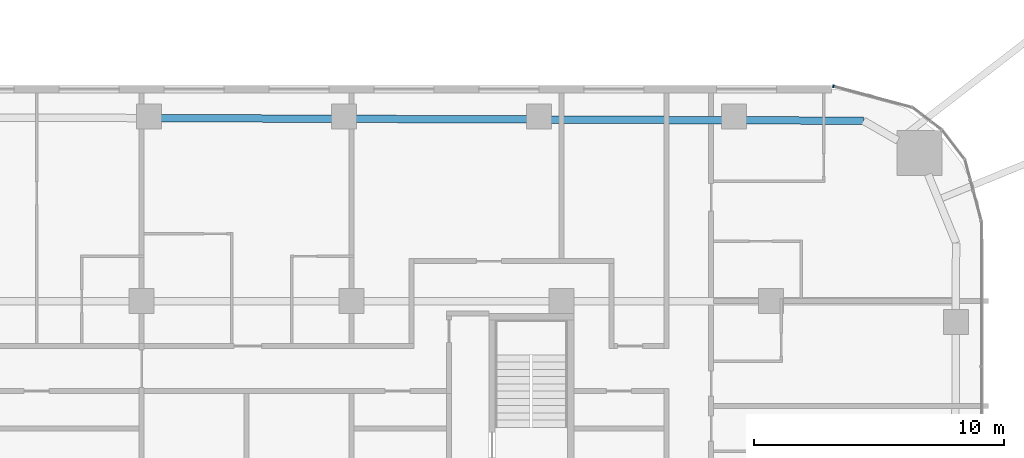
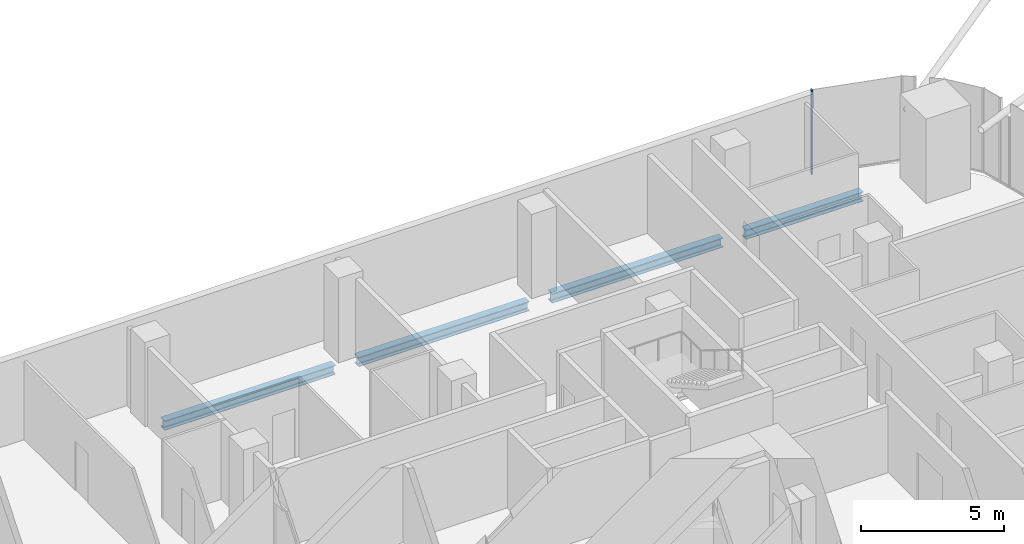
# One storey, part 13 of 38: 4 beams, 1 member, 1 element without a shape of its own.
"""IFC4 building model written with IfcOpenShell, lengths in metres."""

from ifc_helpers import new_model, si_unit, direction, frame, origin, origin_2d, place, context, subcontext, project, spatial, rectangle, i_section, extrude, material, layer, layer_set, material_profile, profile_set, type_object, element, aggregate, save


model = new_model("IFC4")

# Units and contexts
model_context = context("Model", 3, precision=1e-05, world=origin(), true_north=direction((0.0, 1.0)))
body_context = subcontext(model_context, "Body", "Model", "MODEL_VIEW")
ifc_project = project(units=[si_unit("LENGTHUNIT", "METRE"), si_unit("AREAUNIT", "SQUARE_METRE"), si_unit("VOLUMEUNIT", "CUBIC_METRE"), si_unit("PLANEANGLEUNIT", "RADIAN"), si_unit("MASSUNIT", "GRAM", prefix="KILO")], contexts=[model_context])

# Site, building, storey
site_placement = place(None, origin())
site = spatial("IfcSite", under=ifc_project, at=site_placement, CompositionType="ELEMENT")
building_placement = place(site_placement, origin())
building = spatial("IfcBuilding", under=site, at=building_placement, Name="Marenta Gate Hotel Tower", CompositionType="ELEMENT")
storey_placement = place(building_placement, frame((0.0, 0.0, 68.89990234375)))
storey = spatial("IfcBuildingStorey", under=building, at=storey_placement, Name="L15", CompositionType="ELEMENT", Elevation=68.89990234375)

# Beams
ifc_material_1 = material(Name="Steel S355", Category="steel")
ifc_material_profile_1 = material_profile(ifc_material_1, i_section(OverallWidth=0.300048828125, OverallDepth=0.39990234375, WebThickness=0.013427734375, FlangeThickness=0.02392578125, FilletRadius=0.027099609375, at=origin_2d()), Name="HEB 400")
ifc_profile_set_1 = profile_set([ifc_material_profile_1], Name="Steel S355")
beam_type = type_object("IfcBeamType", Name="Edge beam HEB 400", PredefinedType="SPANDREL", material=ifc_profile_set_1)
for number, where, z_axis, x_axis, name in (
    (1, (-3.44140625, 32.52587890625, -0.4599609375), (0.999993195747, -0.003688964684, 0.0), (0.003688964684, 0.999993195747, 0.0), "L15-EB-16"),
    (2, (4.361328125, 32.4970703125, -0.4599609375), (0.999993064268, -0.003724435008, 0.0), (0.003724435008, 0.999993064268, 0.0), "L15-EB-17"),
    (3, (12.1640625, 32.468017578125, -0.4599609375), (0.999993064268, -0.003724435008, 0.0), (0.003724435008, 0.999993064268, 0.0), "L15-EB-18"),
):
    element("IfcBeam", number, at=place(storey_placement, frame(where, z_axis=z_axis, x_axis=x_axis)), inside=storey, type_object=beam_type, Name=name, PredefinedType="SPANDREL", context=body_context, shape_type="SweptSolid", body=[
        extrude(i_section(OverallWidth=0.300048828125, OverallDepth=0.39990234375, WebThickness=0.013427734375, FlangeThickness=0.02392578125, FilletRadius=0.027099609375, at=origin_2d()), origin(), (0.0, 0.0, 1.0), 6.8828125),
    ])
beam_placement = place(storey_placement, frame((19.966796875, 32.43896484375, -0.4599609375), z_axis=(0.999993080272, -0.003720135464, 0.0), x_axis=(0.003720135464, 0.999993080272, 0.0)))
element("IfcBeam", 4, at=beam_placement, inside=storey, type_object=beam_type, Name="L15-EB-19", PredefinedType="SPANDREL", context=body_context, shape_type="SweptSolid", body=[
    extrude(i_section(OverallWidth=0.300048828125, OverallDepth=0.39990234375, WebThickness=0.013427734375, FlangeThickness=0.02392578125, FilletRadius=0.027099609375, at=origin_2d()), origin(), (0.0, 0.0, 1.0), 4.72509765625),
])

# Curtain wall, member
ifc_material_2 = material(Name="Tinted insulated glass in bronze anodised frame", Category="glass")
ifc_layer = layer(ifc_material_2, 0.1201171875)
ifc_layer_set = layer_set([ifc_layer], Name="Tinted insulated glass in bronze anodised frame")
curtain_wall_type = type_object("IfcCurtainWallType", Name="Tower unitised curtain wall CW1", PredefinedType="NOTDEFINED", material=ifc_layer_set)
curtain_wall_placement = place(storey_placement, origin())
curtain_wall = element("IfcCurtainWall", 5, at=curtain_wall_placement, inside=storey, type_object=curtain_wall_type, Name="CW1 run G42", PredefinedType="NOTDEFINED")
ifc_material_3 = material(Name="Bronze anodised aluminium", Category="aluminium")
ifc_material_profile_2 = material_profile(ifc_material_3, rectangle(XDim=0.1201171875, YDim=0.06005859375, at=origin_2d()), Name="Mullion CW1 60x120 bronze anodised aluminium")
ifc_profile_set_2 = profile_set([ifc_material_profile_2], Name="Bronze anodised aluminium")
member_type = type_object("IfcMemberType", Name="Mullion CW1 60x120 bronze anodised aluminium", PredefinedType="MULLION", material=ifc_profile_set_2)
member_placement = place(storey_placement, frame((23.485595703125, 33.80322265625, 0.0), z_axis=(0.0, 0.0, 1.0), x_axis=(-0.258807310344, -0.965928970532, 0.0)))
member = element("IfcMember", 6, at=member_placement, type_object=member_type, Name="CW1 mullion 2", PredefinedType="MULLION", context=body_context, shape_type="SweptSolid", body=[
    extrude(rectangle(XDim=0.1201171875, YDim=0.06005859375, at=origin_2d()), origin(), (0.0, 0.0, 1.0), 3.60009765625),
])
aggregate(curtain_wall, [member])

save(model, "model.ifc")
